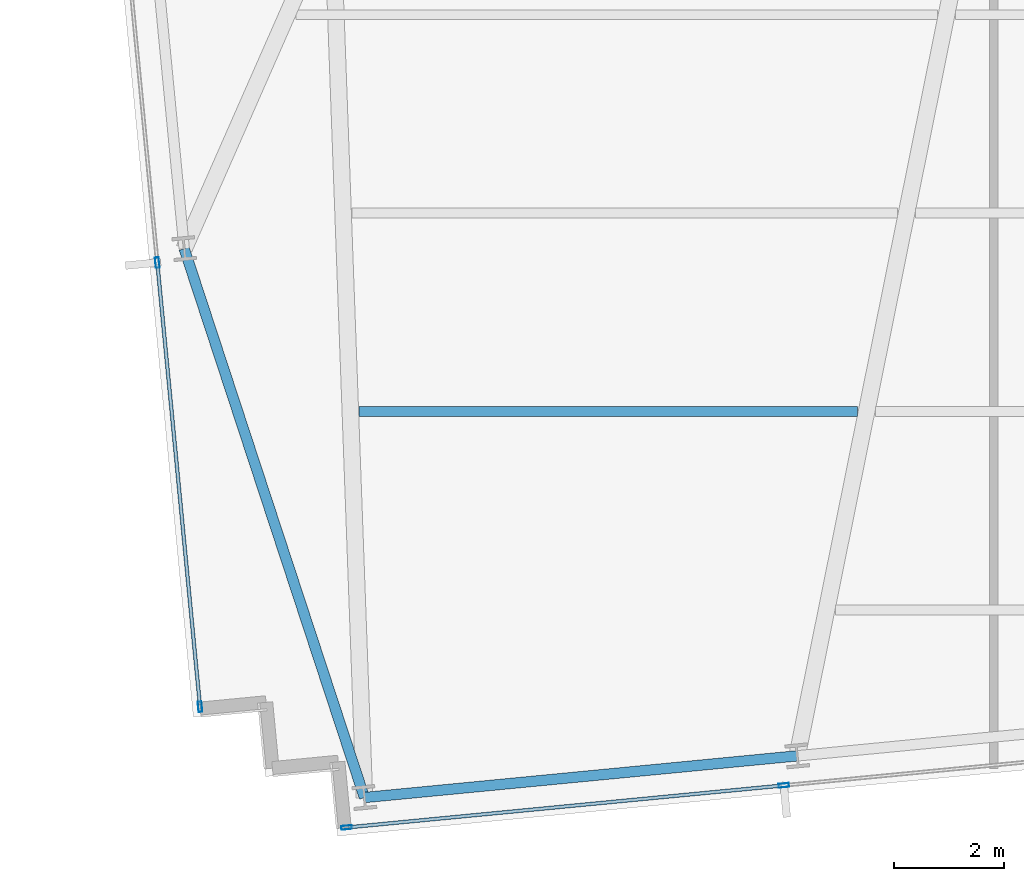
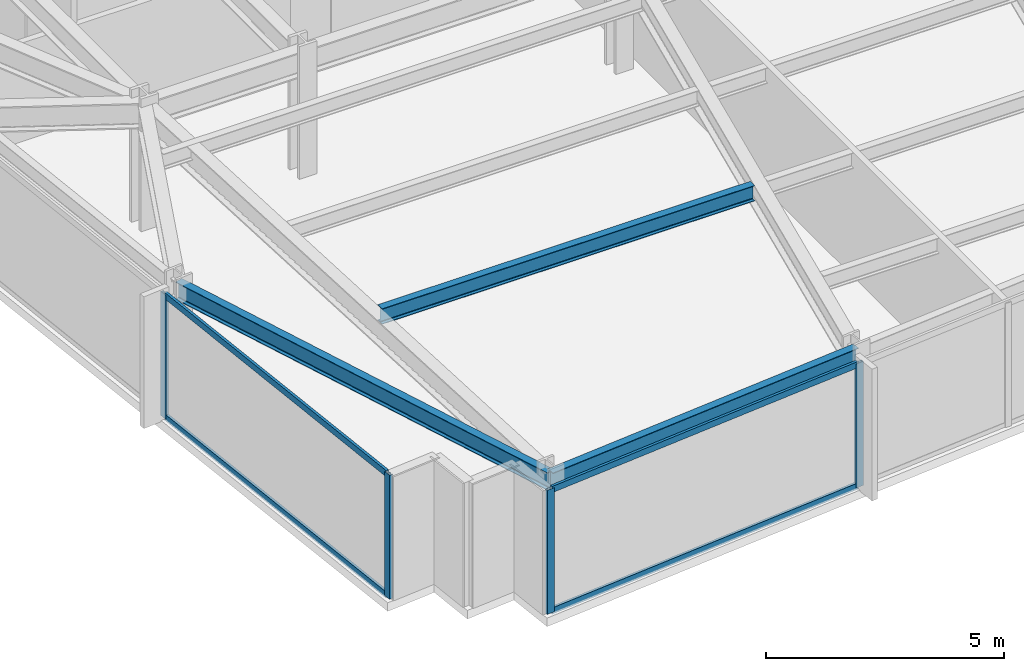
# One storey, part 2 of 32: 8 members, 3 beams, 2 elements without a shape of their own.
"""IFC4 building model written with IfcOpenShell, lengths in metres."""

from ifc_helpers import new_model, si_unit, direction, frame, origin, origin_2d, place, context, subcontext, project, spatial, hollow_rectangle, i_section, extrude, material, material_profile, profile_set, type_object, element, aggregate, save


model = new_model("IFC4")

# Units and contexts
model_context = context("Model", 3, precision=1e-05, world=origin(), true_north=direction((0.0, 1.0)))
body_context = subcontext(model_context, "Body", "Model", "MODEL_VIEW")
ifc_project = project(units=[si_unit("LENGTHUNIT", "METRE"), si_unit("AREAUNIT", "SQUARE_METRE"), si_unit("VOLUMEUNIT", "CUBIC_METRE"), si_unit("PLANEANGLEUNIT", "RADIAN"), si_unit("MASSUNIT", "GRAM", prefix="KILO")], contexts=[model_context])

# Site, building, storey
site_placement = place(None, origin())
site = spatial("IfcSite", under=ifc_project, at=site_placement, CompositionType="ELEMENT")
building_placement = place(site_placement, origin())
building = spatial("IfcBuilding", under=site, at=building_placement, Name="Yelkora Congress Tower", CompositionType="ELEMENT")
storey_placement = place(building_placement, frame((0.0, 0.0, 116.89990234375)))
storey = spatial("IfcBuildingStorey", under=building, at=storey_placement, Name="L31", CompositionType="ELEMENT", Elevation=116.89990234375)

# Beams
ifc_material_1 = material(Name="Steel S355J2", Category="steel")
ifc_material_profile_1 = material_profile(ifc_material_1, i_section(OverallWidth=0.179931640625, OverallDepth=0.39990234375, WebThickness=0.008544921875, FlangeThickness=0.013427734375, FilletRadius=0.02099609375, at=origin_2d()), Name="IPE 400")
ifc_profile_set_1 = profile_set([ifc_material_profile_1], Name="Steel S355J2")
beam_type_1 = type_object("IfcBeamType", Name="BM-JOIST-IPE400", PredefinedType="JOIST", material=ifc_profile_set_1)
beam_1_placement = place(storey_placement, frame((19.6904296875, 16.144287109375, 2.97998046875), z_axis=(1.0, 0.0, 0.0), x_axis=(0.0, 1.0, 0.0)))
element("IfcBeam", 1, at=beam_1_placement, inside=storey, type_object=beam_type_1, Name="L31 Composite Floor Joist 4", PredefinedType="JOIST", context=body_context, shape_type="SweptSolid", body=[
    extrude(i_section(OverallWidth=0.179931640625, OverallDepth=0.39990234375, WebThickness=0.008544921875, FlangeThickness=0.013427734375, FilletRadius=0.02099609375, at=origin_2d()), origin(), (0.0, 0.0, 1.0), 9.0439453125),
])
ifc_material_profile_2 = material_profile(ifc_material_1, i_section(OverallWidth=0.18994140625, OverallDepth=0.449951171875, WebThickness=0.009521484375, FlangeThickness=0.0146484375, FilletRadius=0.02099609375, at=origin_2d()), Name="IPE 450")
ifc_profile_set_2 = profile_set([ifc_material_profile_2], Name="Steel S355J2")
beam_type_2 = type_object("IfcBeamType", Name="BM-SPAN-IPE450", PredefinedType="SPANDREL", material=ifc_profile_set_2)
beam_2_placement = place(storey_placement, frame((16.5166015625, 19.101806640625, 2.955078125), z_axis=(0.311940628701, -0.95010159676, 0.0), x_axis=(0.95010159676, 0.311940628701, 0.0)))
element("IfcBeam", 2, at=beam_2_placement, inside=storey, type_object=beam_type_2, Name="L31 Perimeter Beam 2", PredefinedType="SPANDREL", context=body_context, shape_type="SweptSolid", body=[
    extrude(i_section(OverallWidth=0.18994140625, OverallDepth=0.449951171875, WebThickness=0.009521484375, FlangeThickness=0.0146484375, FilletRadius=0.02099609375, at=origin_2d()), origin(), (0.0, 0.0, 1.0), 10.48046875),
])
beam_3_placement = place(storey_placement, frame((19.785888671875, 9.144287109375, 2.955078125), z_axis=(0.995395860104, 0.095849265454, 0.0), x_axis=(-0.095849265454, 0.995395860104, 0.0)))
element("IfcBeam", 3, at=beam_3_placement, inside=storey, type_object=beam_type_2, Name="L31 Perimeter Beam 3", PredefinedType="SPANDREL", context=body_context, shape_type="SweptSolid", body=[
    extrude(i_section(OverallWidth=0.18994140625, OverallDepth=0.449951171875, WebThickness=0.009521484375, FlangeThickness=0.0146484375, FilletRadius=0.02099609375, at=origin_2d()), origin(), (0.0, 0.0, 1.0), 7.885986328125),
])

# Curtain wall, members
ifc_material_2 = material(Name="Anodised aluminium and insulated glass", Category="aluminium")
curtain_wall_type = type_object("IfcCurtainWallType", Name="CW-SYS-B2", PredefinedType="NOTDEFINED", material=ifc_material_2)
curtain_wall_1_placement = place(storey_placement, origin())
curtain_wall_1 = element("IfcCurtainWall", 4, at=curtain_wall_1_placement, inside=storey, type_object=curtain_wall_type, Name="L31 Unitised Curtain Wall 5", PredefinedType="NOTDEFINED")
ifc_material_3 = material(Name="Anodised aluminium 6063-T6", Category="aluminium")
ifc_material_profile_3 = material_profile(ifc_material_3, hollow_rectangle(XDim=0.070068359375, YDim=0.18994140625, WallThickness=0.00390625, at=origin_2d()), Name="ALU 70x190x4")
ifc_profile_set_3 = profile_set([ifc_material_profile_3], Name="Anodised aluminium 6063-T6")
member_type_1 = type_object("IfcMemberType", Name="MEM-ML-B2", PredefinedType="MULLION", material=ifc_profile_set_3)
member_1_placement = place(storey_placement, frame((16.804443359375, 10.791259765625, 0.0), z_axis=(0.0, 0.0, 1.0), x_axis=(-0.995396507508, -0.095842541913, 0.0)))
member_1 = element("IfcMember", 5, at=member_1_placement, type_object=member_type_1, Name="CW-B2 mullion 1", PredefinedType="MULLION", context=body_context, shape_type="SweptSolid", body=[
    extrude(hollow_rectangle(XDim=0.070068359375, YDim=0.18994140625, WallThickness=0.00390625, at=origin_2d()), origin(), (0.0, 0.0, 1.0), 3.18017578125),
])
member_2_placement = place(storey_placement, frame((16.028564453125, 18.848876953125, 0.0), z_axis=(0.0, 0.0, 1.0), x_axis=(-0.995396507508, -0.095842541913, 0.0)))
member_2 = element("IfcMember", 6, at=member_2_placement, type_object=member_type_1, Name="CW-B2 mullion 2", PredefinedType="MULLION", context=body_context, shape_type="SweptSolid", body=[
    extrude(hollow_rectangle(XDim=0.070068359375, YDim=0.18994140625, WallThickness=0.00390625, at=origin_2d()), origin(), (0.0, 0.0, 1.0), 3.18017578125),
])

curtain_wall_2_placement = place(storey_placement, origin())
curtain_wall_2 = element("IfcCurtainWall", 7, at=curtain_wall_2_placement, inside=storey, type_object=curtain_wall_type, Name="L31 Unitised Curtain Wall 20", PredefinedType="NOTDEFINED")
member_3_placement = place(storey_placement, frame((27.392822265625, 9.364501953125, 0.0), z_axis=(0.0, 0.0, 1.0), x_axis=(0.095844345816, -0.995396333816, 0.0)))
member_3 = element("IfcMember", 8, at=member_3_placement, type_object=member_type_1, Name="CW-B2 mullion 7", PredefinedType="MULLION", context=body_context, shape_type="SweptSolid", body=[
    extrude(hollow_rectangle(XDim=0.070068359375, YDim=0.18994140625, WallThickness=0.00390625, at=origin_2d()), origin(), (0.0, 0.0, 1.0), 3.18017578125),
])
member_4_placement = place(storey_placement, frame((19.46142578125, 8.600830078125, 0.0), z_axis=(0.0, 0.0, 1.0), x_axis=(0.095844345816, -0.995396333816, 0.0)))
member_4 = element("IfcMember", 9, at=member_4_placement, type_object=member_type_1, Name="CW-B2 mullion 8", PredefinedType="MULLION", context=body_context, shape_type="SweptSolid", body=[
    extrude(hollow_rectangle(XDim=0.070068359375, YDim=0.18994140625, WallThickness=0.00390625, at=origin_2d()), origin(), (0.0, 0.0, 1.0), 3.18017578125),
])

# Member
ifc_material_profile_4 = material_profile(ifc_material_3, hollow_rectangle(XDim=0.06494140625, YDim=0.159912109375, WallThickness=0.00390625, at=origin_2d()), Name="ALU 65x160x4")
ifc_profile_set_4 = profile_set([ifc_material_profile_4], Name="Anodised aluminium 6063-T6")
member_type_2 = type_object("IfcMemberType", Name="MEM-TR-B2", PredefinedType="USERDEFINED", material=ifc_profile_set_4)
member_5_placement = place(storey_placement, frame((16.801025390625, 10.826171875, 0.03271484375), z_axis=(-0.095861385662, 0.995394692943, 0.0), x_axis=(-0.995394692943, -0.095861385662, 0.0)))
member_5 = element("IfcMember", 10, at=member_5_placement, type_object=member_type_2, Name="CW-B2 transom 1.1", ObjectType="TRANSOM", PredefinedType="USERDEFINED", context=body_context, shape_type="SweptSolid", body=[
    extrude(hollow_rectangle(XDim=0.06494140625, YDim=0.159912109375, WallThickness=0.00390625, at=origin_2d()), origin(), (0.0, 0.0, 1.0), 8.02490234375),
])

member_6_placement = place(storey_placement, frame((16.801025390625, 10.826171875, 3.147705078125), z_axis=(-0.095861385662, 0.995394692943, 0.0), x_axis=(-0.995394692943, -0.095861385662, 0.0)))
member_6 = element("IfcMember", 11, at=member_6_placement, type_object=member_type_2, Name="CW-B2 transom 1.2", ObjectType="TRANSOM", PredefinedType="USERDEFINED", context=body_context, shape_type="SweptSolid", body=[
    extrude(hollow_rectangle(XDim=0.06494140625, YDim=0.159912109375, WallThickness=0.00390625, at=origin_2d()), origin(), (0.0, 0.0, 1.0), 8.02490234375),
])

aggregate(curtain_wall_1, [member_1, member_2, member_5, member_6])

member_7_placement = place(storey_placement, frame((27.35791015625, 9.361083984375, 0.03271484375), z_axis=(-0.995397978421, -0.095827264157, 0.0), x_axis=(0.095827264157, -0.995397978421, 0.0)))
member_7 = element("IfcMember", 12, at=member_7_placement, type_object=member_type_2, Name="CW-B2 transom 7.1", ObjectType="TRANSOM", PredefinedType="USERDEFINED", context=body_context, shape_type="SweptSolid", body=[
    extrude(hollow_rectangle(XDim=0.06494140625, YDim=0.159912109375, WallThickness=0.00390625, at=origin_2d()), origin(), (0.0, 0.0, 1.0), 7.89794921875),
])

member_8_placement = place(storey_placement, frame((27.35791015625, 9.361083984375, 3.147705078125), z_axis=(-0.995397978421, -0.095827264157, 0.0), x_axis=(0.095827264157, -0.995397978421, 0.0)))
member_8 = element("IfcMember", 13, at=member_8_placement, type_object=member_type_2, Name="CW-B2 transom 7.2", ObjectType="TRANSOM", PredefinedType="USERDEFINED", context=body_context, shape_type="SweptSolid", body=[
    extrude(hollow_rectangle(XDim=0.06494140625, YDim=0.159912109375, WallThickness=0.00390625, at=origin_2d()), origin(), (0.0, 0.0, 1.0), 7.89794921875),
])

aggregate(curtain_wall_2, [member_3, member_4, member_7, member_8])

save(model, "model.ifc")
